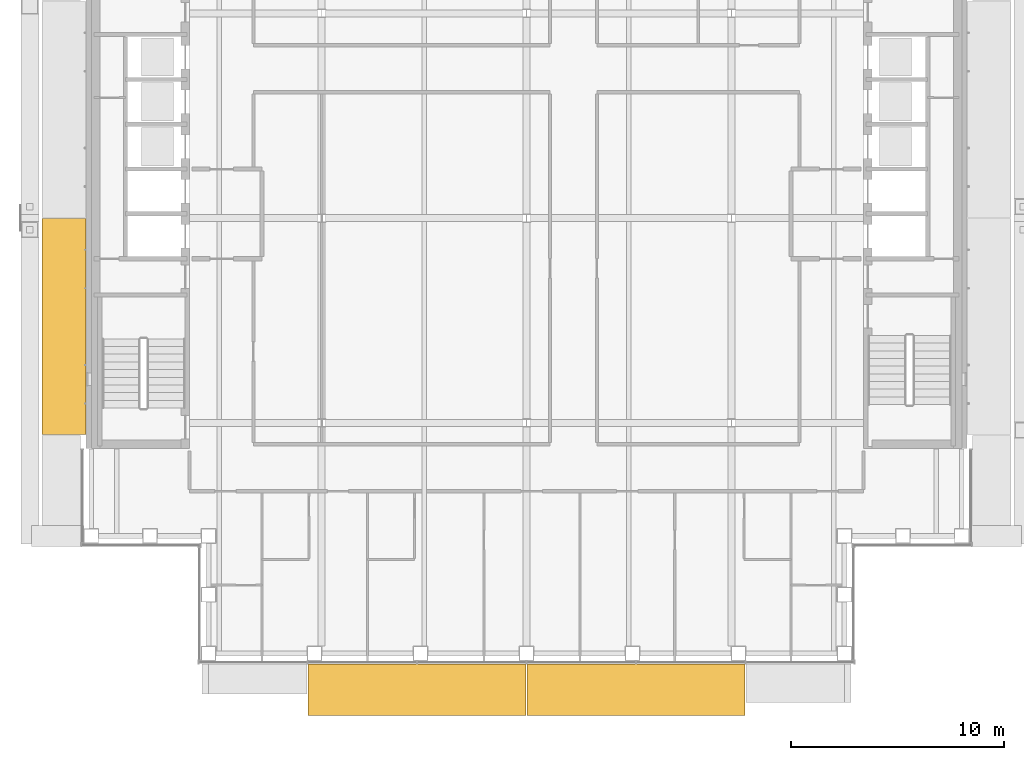
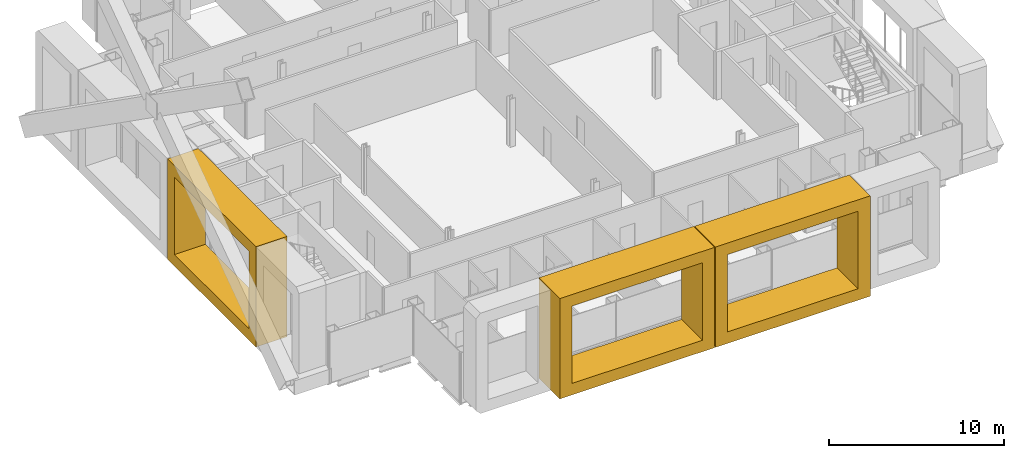
# One storey, part 16 of 21: 3 coverings.
"""IFC4 building model written with IfcOpenShell, lengths in metres."""

from ifc_helpers import new_model, si_unit, direction, frame, origin, place, context, subcontext, project, spatial, polyline, outline, extrude, material, type_object, element, save


model = new_model("IFC4")

# Units and contexts
model_context = context("Model", 3, precision=1e-05, world=origin(), true_north=direction((0.0, 1.0)))
body_context = subcontext(model_context, "Body", "Model", "MODEL_VIEW")
ifc_project = project(units=[si_unit("LENGTHUNIT", "METRE"), si_unit("AREAUNIT", "SQUARE_METRE"), si_unit("VOLUMEUNIT", "CUBIC_METRE"), si_unit("PLANEANGLEUNIT", "RADIAN"), si_unit("MASSUNIT", "GRAM", prefix="KILO")], contexts=[model_context])

# Site, building, storey
site_placement = place(None, origin())
site = spatial("IfcSite", under=ifc_project, at=site_placement, CompositionType="ELEMENT")
building_placement = place(site_placement, origin())
building = spatial("IfcBuilding", under=site, at=building_placement, Name="Cobrizo Arcos Hotel Tower", CompositionType="ELEMENT")
storey_placement = place(building_placement, frame((0.0, 0.0, 212.0)))
storey = spatial("IfcBuildingStorey", under=building, at=storey_placement, Name="L55", CompositionType="ELEMENT", Elevation=212.0)

# Coverings
ifc_material = material(Name="Aluminium 6063-T6 anodised bronze", Category="aluminium")
covering_type_1 = type_object("IfcCoveringType", Name="FIN-F 2050", PredefinedType="CLADDING", material=ifc_material)
covering_placement = place(storey_placement, frame((-20.64990234375, -0.02490234375, 0.0), z_axis=(-1.0, 0.0, 0.0), x_axis=(0.0, -1.0, 0.0)))
element("IfcCovering", 1, at=covering_placement, inside=storey, type_object=covering_type_1, Name="Fin frame 355", PredefinedType="CLADDING", context=body_context, shape_type="SweptSolid", body=[
    extrude(outline(polyline([(0.0, 7.0), (0.0, 0.0), (10.11669921875, 0.0), (10.11669921875, 7.0), (0.0, 7.0)]), holes=[polyline([(9.316650390625, 0.800048828125), (0.800048828125, 0.800048828125), (0.800048828125, 6.199951171875), (9.316650390625, 6.199951171875), (9.316650390625, 0.800048828125)])]), origin(), (0.0, 0.0, 1.0), 2.050048828125),
])
covering_type_2 = type_object("IfcCoveringType", Name="FIN-F 2400", PredefinedType="CLADDING", material=ifc_material)
for number, where, z_axis, x_axis, name in (
    (2, (-10.24169921875, -20.89990234375, 0.0), (0.0, -1.0, 0.0), (1.0, 0.0, 0.0), "Fin frame 336"),
    (3, (0.02490234375, -20.89990234375, 0.0), (0.0, -1.0, 0.0), (1.0, 0.0, 0.0), "Fin frame 337"),
):
    element("IfcCovering", number, at=place(storey_placement, frame(where, z_axis=z_axis, x_axis=x_axis)), inside=storey, type_object=covering_type_2, Name=name, PredefinedType="CLADDING", context=body_context, shape_type="SweptSolid", body=[
        extrude(outline(polyline([(0.0, 7.0), (0.0, 0.0), (10.216796875, 0.0), (10.216796875, 7.0), (0.0, 7.0)]), holes=[polyline([(9.416748046875, 0.800048828125), (0.800048828125, 0.800048828125), (0.800048828125, 6.199951171875), (9.416748046875, 6.199951171875), (9.416748046875, 0.800048828125)])]), origin(), (0.0, 0.0, 1.0), 2.400146484375),
    ])

save(model, "model.ifc")
